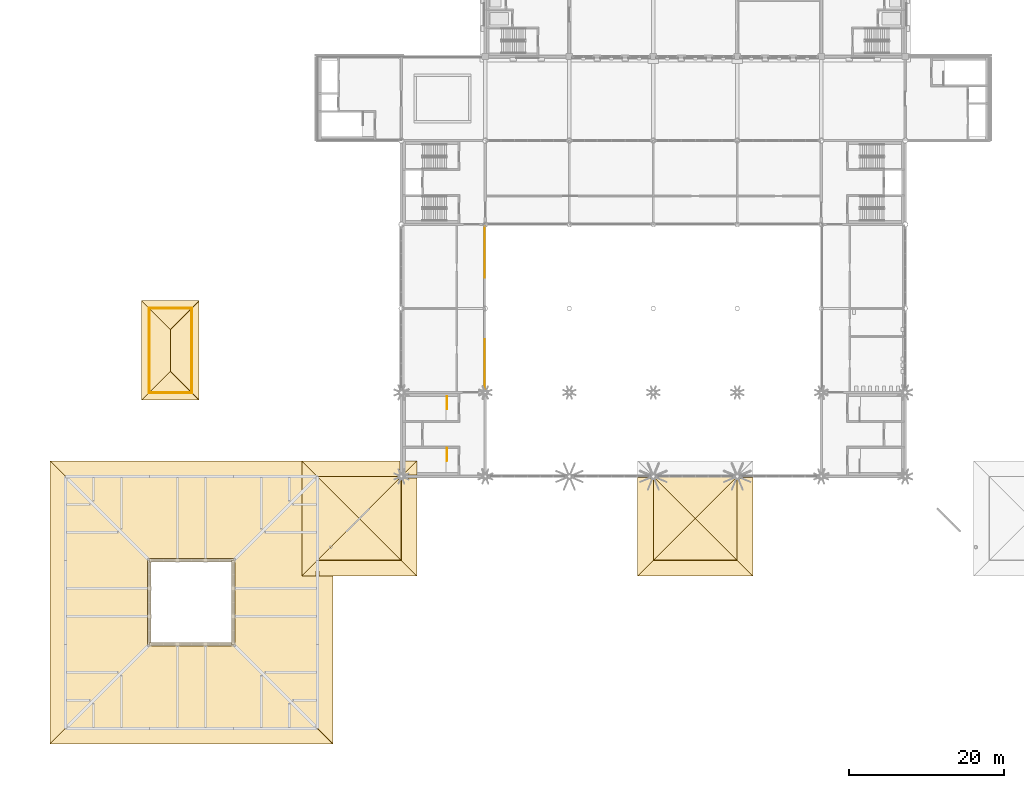
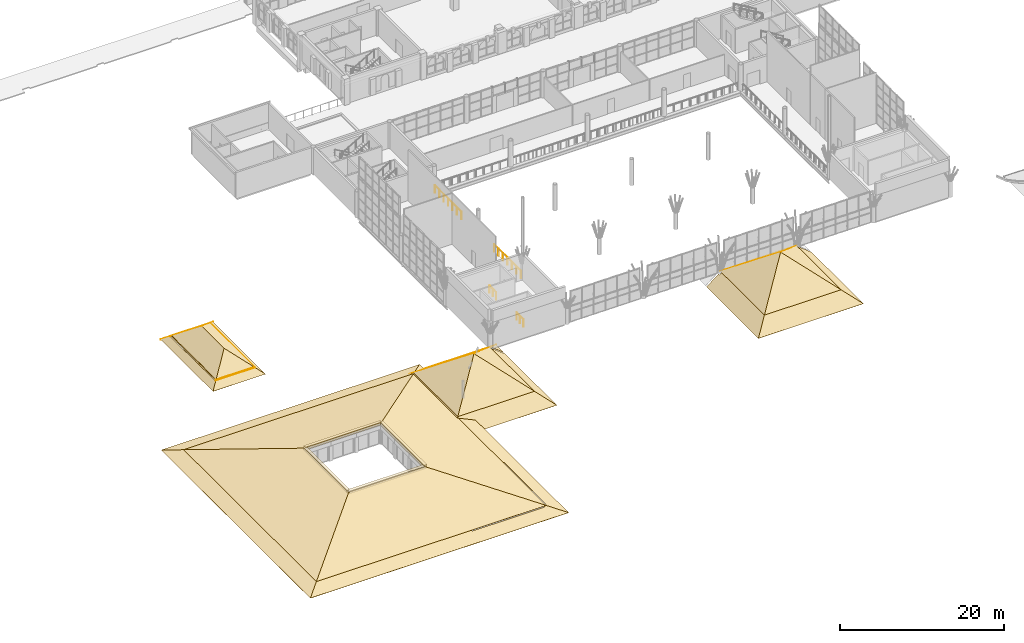
# One storey, part 85 of 95: 41 coverings, 4 railings.
"""IFC4 building model written with IfcOpenShell, lengths in metres."""

from ifc_helpers import new_model, si_unit, direction, frame, origin, origin_2d, place, context, subcontext, project, spatial, polyline, rectangle, circle, outline, extrude, material, layer, layer_set, type_object, element, save


model = new_model("IFC4")

# Units and contexts
model_context = context("Model", 3, precision=1e-05, world=origin(), true_north=direction((0.0, 1.0)))
body_context = subcontext(model_context, "Body", "Model", "MODEL_VIEW")
ifc_project = project(units=[si_unit("LENGTHUNIT", "METRE"), si_unit("AREAUNIT", "SQUARE_METRE"), si_unit("VOLUMEUNIT", "CUBIC_METRE"), si_unit("PLANEANGLEUNIT", "RADIAN"), si_unit("MASSUNIT", "GRAM", prefix="KILO")], contexts=[model_context])

# Site, building, storey
site_placement = place(None, origin())
site = spatial("IfcSite", under=ifc_project, at=site_placement, CompositionType="ELEMENT")
building_placement = place(site_placement, origin())
building = spatial("IfcBuilding", under=site, at=building_placement, Name="Magnolia Steps Interchange", CompositionType="ELEMENT")
storey_placement = place(building_placement, frame((0.0, 0.0, 4.800048828125)))
storey = spatial("IfcBuildingStorey", under=building, at=storey_placement, Name="L01", CompositionType="ELEMENT", Elevation=4.800048828125)

# Coverings
ifc_material_1 = material(Name="Clay pantile")
ifc_layer_1 = layer(ifc_material_1, 0.0400390625)
ifc_layer_set_1 = layer_set([ifc_layer_1], Name="Clay pantile roofing")
covering_type_1 = type_object("IfcCoveringType", Name="Clay pantile roofing", PredefinedType="ROOFING", material=ifc_layer_set_1)
for number, where, z_axis, x_axis, name in (
    (1, (26.199951171875, 53.199951171875, 0.128662109375), (0.615650955802, 0.0, 0.788018972247), (0.0, 1.0, 0.0), "Clay pantile roof BE-W 1"),
    (2, (20.800048828125, 64.0, 0.128662109375), (-0.615650955802, 0.0, 0.788018972247), (0.0, -1.0, 0.0), "Clay pantile roof BE-W 2"),
):
    element("IfcCovering", number, at=place(storey_placement, frame(where, z_axis=z_axis, x_axis=x_axis)), inside=storey, type_object=covering_type_1, Name=name, PredefinedType="ROOFING", context=body_context, shape_type="SweptSolid", body=[
        extrude(outline(polyline([(0.0, 0.0), (10.800048828, 0.0), (8.100097656, 3.426251482), (2.699951172, 3.426251482), (0.0, 0.0)])), origin(), (0.0, 0.0, -1.0), 0.0400390625),
    ])
for number, where, z_axis, x_axis, name in (
    (3, (20.800048828125, 53.199951171875, 0.128662109375), (0.0, -0.615650955802, 0.788018972247), (1.0, 0.0, 0.0), "Clay pantile roof BE-W 3"),
    (4, (26.199951171875, 64.0, 0.128662109375), (0.0, 0.615650955802, 0.788018972247), (-1.0, 0.0, 0.0), "Clay pantile roof BE-W 4"),
):
    element("IfcCovering", number, at=place(storey_placement, frame(where, z_axis=z_axis, x_axis=x_axis)), inside=storey, type_object=covering_type_1, Name=name, PredefinedType="ROOFING", context=body_context, shape_type="SweptSolid", body=[
        extrude(outline(polyline([(0.0, 0.0), (5.399902344, 0.0), (2.699951172, 3.426251482), (0.0, 0.0)])), origin(), (0.0, 0.0, -1.0), 0.0400390625),
    ])
covering_1_placement = place(storey_placement, frame((42.39990234375, 31.60009765625, 0.1689453125), z_axis=(0.0, -0.6156730791, 0.788001687607), x_axis=(1.0, 0.0, 0.0)))
element("IfcCovering", 5, at=covering_1_placement, inside=storey, type_object=covering_type_1, Name="Clay pantile roof BC1 1", PredefinedType="ROOFING", context=body_context, shape_type="SweptSolid", body=[
    extrude(outline(polyline([(0.0, 0.0), (10.800048828, 0.0), (5.400146484, 6.852653273), (0.0, 0.0)])), origin(), (0.0, 0.0, -1.0), 0.0400390625),
])
covering_2_placement = place(storey_placement, frame((53.199951171875, 42.39990234375, 0.1689453125), z_axis=(0.0, 0.6156730791, 0.788001687607), x_axis=(-1.0, 0.0, 0.0)))
element("IfcCovering", 6, at=covering_2_placement, inside=storey, type_object=covering_type_1, Name="Clay pantile roof BC1 2", PredefinedType="ROOFING", context=body_context, shape_type="SweptSolid", body=[
    extrude(outline(polyline([(0.0, 0.0), (10.800048828, 0.0), (5.399902344, 6.852653273), (0.0, 0.0)])), origin(), (0.0, 0.0, -1.0), 0.0400390625),
])
covering_3_placement = place(storey_placement, frame((42.39990234375, 42.39990234375, 0.1689453125), z_axis=(-0.615655794866, 0.0, 0.788015191635), x_axis=(0.0, -1.0, 0.0)))
element("IfcCovering", 7, at=covering_3_placement, inside=storey, type_object=covering_type_1, Name="Clay pantile roof BC1 3", PredefinedType="ROOFING", context=body_context, shape_type="SweptSolid", body=[
    extrude(outline(polyline([(0.0, 0.0), (10.799804688, 0.0), (5.399902344, 6.852845658), (0.0, 0.0)])), origin(), (0.0, 0.0, -1.0), 0.0400390625),
])
for number, where, z_axis, x_axis, name in (
    (8, (53.199951171875, 31.60009765625, 0.1689453125), (0.6156730791, 0.0, 0.788001687607), (0.0, 1.0, 0.0), "Clay pantile roof BC1 4"),
    (9, (85.60009765625, 31.60009765625, 0.1689453125), (0.0, -0.6156730791, 0.788001687607), (1.0, 0.0, 0.0), "Clay pantile roof BC2 1"),
    (10, (96.39990234375, 42.39990234375, 0.1689453125), (0.0, 0.6156730791, 0.788001687607), (-1.0, 0.0, 0.0), "Clay pantile roof BC2 2"),
    (11, (85.60009765625, 42.39990234375, 0.1689453125), (-0.6156730791, 0.0, 0.788001687607), (0.0, -1.0, 0.0), "Clay pantile roof BC2 3"),
    (12, (96.39990234375, 31.60009765625, 0.1689453125), (0.6156730791, 0.0, 0.788001687607), (0.0, 1.0, 0.0), "Clay pantile roof BC2 4"),
):
    element("IfcCovering", number, at=place(storey_placement, frame(where, z_axis=z_axis, x_axis=x_axis)), inside=storey, type_object=covering_type_1, Name=name, PredefinedType="ROOFING", context=body_context, shape_type="SweptSolid", body=[
        extrude(outline(polyline([(0.0, 0.0), (10.799804688, 0.0), (5.399902344, 6.852653273), (0.0, 0.0)])), origin(), (0.0, 0.0, -1.0), 0.0400390625),
    ])
covering_4_placement = place(storey_placement, frame((10.0, 10.0, 0.04150390625), z_axis=(0.0, -0.26764274042, 0.963518221675), x_axis=(1.0, 0.0, 0.0)))
element("IfcCovering", 13, at=covering_4_placement, inside=storey, type_object=covering_type_1, Name="Clay pantile roof Cycle hub hip roof S", PredefinedType="ROOFING", context=body_context, shape_type="SweptSolid", body=[
    extrude(outline(polyline([(0.0, 0.0), (32.399902344, 0.0), (21.600097656, 11.208972062), (10.800048828, 11.208972062), (0.0, 0.0)])), origin(), (0.0, 0.0, -1.0), 0.0400390625),
])
covering_5_placement = place(storey_placement, frame((42.39990234375, 10.0, 0.04150390625), z_axis=(0.267648357342, 0.0, 0.963516661409), x_axis=(0.0, 1.0, 0.0)))
element("IfcCovering", 14, at=covering_5_placement, inside=storey, type_object=covering_type_1, Name="Clay pantile roof Cycle hub hip roof E", PredefinedType="ROOFING", context=body_context, shape_type="SweptSolid", body=[
    extrude(outline(polyline([(0.0, 0.0), (32.399902344, 0.0), (21.600097656, 11.208736828), (10.800048828, 11.208736828), (0.0, 0.0)])), origin(), (0.0, 0.0, -1.0), 0.0400390625),
])
covering_6_placement = place(storey_placement, frame((42.39990234375, 42.39990234375, 0.04150390625), z_axis=(0.0, 0.267648357342, 0.963516661409), x_axis=(-1.0, 0.0, 0.0)))
element("IfcCovering", 15, at=covering_6_placement, inside=storey, type_object=covering_type_1, Name="Clay pantile roof Cycle hub hip roof N", PredefinedType="ROOFING", context=body_context, shape_type="SweptSolid", body=[
    extrude(outline(polyline([(0.0, 0.0), (32.399902344, 0.0), (21.599853516, 11.208736828), (10.799804688, 11.208736828), (0.0, 0.0)])), origin(), (0.0, 0.0, -1.0), 0.0400390625),
])
covering_7_placement = place(storey_placement, frame((10.0, 42.39990234375, 0.04150390625), z_axis=(-0.26764274042, 0.0, 0.963518221675), x_axis=(0.0, -1.0, 0.0)))
element("IfcCovering", 16, at=covering_7_placement, inside=storey, type_object=covering_type_1, Name="Clay pantile roof Cycle hub hip roof W", PredefinedType="ROOFING", context=body_context, shape_type="SweptSolid", body=[
    extrude(outline(polyline([(0.0, 0.0), (32.399902344, 0.0), (21.599853516, 11.208972062), (10.799804688, 11.208972062), (0.0, 0.0)])), origin(), (0.0, 0.0, -1.0), 0.0400390625),
])
covering_8_placement = place(storey_placement, frame((53.199951171875, 31.60009765625, 0.1689453125), z_axis=(1.150659e-06, -0.615644000945, 0.788024405776), x_axis=(0.618942776731, -0.61894236345, -0.483549573322)))
element("IfcCovering", 17, at=covering_8_placement, inside=storey, type_object=covering_type_1, Name="Clay pantile eave Pavilion roof slab BC1 1 1", PredefinedType="ROOFING", context=body_context, shape_type="SweptSolid", body=[
    extrude(outline(polyline([(0.0, 0.0), (3.231316489, 0.0), (-4.570445123, -9.900406475), (-5.194620052, -9.408541418), (-5.226957394, -9.408547232), (-5.443496701, -9.683334807), (-5.443865029, -9.705424638), (-4.811766318, -10.206642174), (-5.929066829, -11.624492367), (-6.684612211, -8.482748039), (0.0, 0.0)])), origin(), (0.0, 0.0, -1.0), 0.0400390625),
])
covering_9_placement = place(storey_placement, frame((40.39990234375, 44.39990234375, -1.3935546875), z_axis=(-4.043556e-06, 0.61564416023, 0.788024281325), x_axis=(0.999999999992, 2.489392e-06, 3.186421e-06)))
element("IfcCovering", 18, at=covering_9_placement, inside=storey, type_object=covering_type_1, Name="Clay pantile eave Pavilion roof slab BC1 2 1", PredefinedType="ROOFING", context=body_context, shape_type="SweptSolid", body=[
    extrude(outline(polyline([(0.0, 0.0), (12.604980469, 0.0), (12.604980469, -2.125414861), (12.493164062, -2.125607249), (12.4765625, -2.141088533), (12.475097656, -2.537992563), (2.0, -2.537992563), (0.0, 0.0)])), origin(), (0.0, 0.0, -1.0), 0.0400390625),
])
covering_10_placement = place(storey_placement, frame((53.39501953125, 44.39990234375, -1.3935546875), z_axis=(0.000152438795, 0.615586602563, 0.788069230149), x_axis=(0.999999988381, -9.3839281e-05, -0.000120132325)))
element("IfcCovering", 19, at=covering_10_placement, inside=storey, type_object=covering_type_1, Name="Clay pantile eave Pavilion roof slab BC1 2 2", PredefinedType="ROOFING", context=body_context, shape_type="SweptSolid", body=[
    extrude(outline(polyline([(0.0, 0.0), (1.80493162, 0.0), (0.124023439, -2.132930054), (-4.2e-08, -2.125414846), (0.0, 0.0)])), origin(), (0.0, 0.0, -1.0), 0.0400390625),
])
covering_11_placement = place(storey_placement, frame((42.39990234375, 31.60009765625, 0.1689453125), z_axis=(-0.615644041972, 0.0, 0.788024373725), x_axis=(-0.618942776731, -0.618942776731, -0.483549044321)))
element("IfcCovering", 20, at=covering_11_placement, inside=storey, type_object=covering_type_1, Name="Clay pantile eave Pavilion roof slab BC1 3 1", PredefinedType="ROOFING", context=body_context, shape_type="SweptSolid", body=[
    extrude(outline(polyline([(0.0, 0.0), (3.231316489, 0.0), (-5.92891572, -11.62430061), (-6.684461101, -8.482556282), (0.0, 0.0)])), origin(), (0.0, 0.0, -1.0), 0.0400390625),
])
covering_12_placement = place(storey_placement, frame((55.199951171875, 42.594970703125, -1.3935546875), z_axis=(0.615583036962, 7.4509101e-05, 0.788072026564), x_axis=(-0.788072028751, -4.714e-09, 0.615583038671)))
element("IfcCovering", 21, at=covering_12_placement, inside=storey, type_object=covering_type_1, Name="Clay pantile eave Pavilion roof slab BC1 4 1", PredefinedType="ROOFING", context=body_context, shape_type="SweptSolid", body=[
    extrude(outline(polyline([(0.0, 0.0), (2.125607245, 0.0), (2.132930053, -0.124023448), (-9e-09, -1.804931636), (0.0, 0.0)])), origin(), (0.0, 0.0, -1.0), 0.0400390625),
])
covering_13_placement = place(storey_placement, frame((55.199951171875, 42.205078125, -1.3935546875), z_axis=(0.615643934803, 1.389755e-06, 0.788024457449), x_axis=(8.55594e-07, -0.999999999999, 1.095161e-06)))
element("IfcCovering", 22, at=covering_13_placement, inside=storey, type_object=covering_type_1, Name="Clay pantile eave Pavilion roof slab BC1 4 2", PredefinedType="ROOFING", context=body_context, shape_type="SweptSolid", body=[
    extrude(outline(polyline([(0.0, 0.0), (12.604980469, 0.0), (10.604980469, -2.537992563), (0.130126953, -2.537992563), (0.128662109, -2.141088533), (0.112060547, -2.125607249), (0.0, -2.125607249), (0.0, 0.0)])), origin(), (0.0, 0.0, -1.0), 0.0400390625),
])
covering_14_placement = place(storey_placement, frame((85.60009765625, 31.60009765625, 0.1689453125), z_axis=(0.0, -0.615644041972, 0.788024373725), x_axis=(1.0, 0.0, 0.0)))
element("IfcCovering", 23, at=covering_14_placement, inside=storey, type_object=covering_type_1, Name="Clay pantile eave Pavilion roof slab BC2 1 1", PredefinedType="ROOFING", context=body_context, shape_type="SweptSolid", body=[
    extrude(outline(polyline([(0.0, 0.0), (10.799804688, 0.0), (12.799804688, -2.537992563), (-2.0, -2.537992563), (0.0, 0.0)])), origin(), (0.0, 0.0, -1.0), 0.0400390625),
])
covering_15_placement = place(storey_placement, frame((85.27490234375, 42.094970703125, -0.0849609375), z_axis=(-0.615644657256, -4.117584e-06, 0.788023893023), x_axis=(0.595349510519, -0.655154795508, 0.465114130347)))
element("IfcCovering", 24, at=covering_15_placement, inside=storey, type_object=covering_type_1, Name="Clay pantile eave Pavilion roof slab BC2 3 2", PredefinedType="ROOFING", context=body_context, shape_type="SweptSolid", body=[
    extrude(outline(polyline([(0.0, 0.0), (0.030184304, 0.0), (0.324816147, 0.255177611), (7.18746666, -7.658518372), (6.580336401, -10.832285707), (-1.72698162, -1.252664958), (-0.121242025, 0.139810781), (0.0, 0.0)])), origin(), (0.0, 0.0, -1.0), 0.0400390625),
])
covering_16_placement = place(storey_placement, frame((96.705078125, 42.074951171875, -0.0693359375), z_axis=(0.615644285591, -5.065319e-06, 0.788024183381), x_axis=(0.640469541076, 0.582610703652, -0.500363402882)))
element("IfcCovering", 25, at=covering_16_placement, inside=storey, type_object=covering_type_1, Name="Clay pantile eave Pavilion roof slab BC2 4 1", PredefinedType="ROOFING", context=body_context, shape_type="SweptSolid", body=[
    extrude(outline(polyline([(0.0, 0.0), (0.031009395, 0.0), (0.140120789, 0.151881941), (1.8675546, -1.086407507), (-5.519909295, -11.392039152), (-6.417444787, -8.287874805), (-0.31468301, 0.225576602), (0.0, 0.0)])), origin(), (0.0, 0.0, -1.0), 0.0400390625),
])
covering_17_placement = place(storey_placement, frame((27.199951171875, 52.199951171875, -0.65283203125), z_axis=(0.6156874089, 0.0, 0.787990491391), x_axis=(-0.61892635887, 0.61892635887, 0.483591071664)))
element("IfcCovering", 26, at=covering_17_placement, inside=storey, type_object=covering_type_1, Name="Clay pantile eave Pavilion roof slab BE-W 1 1", PredefinedType="ROOFING", context=body_context, shape_type="SweptSolid", body=[
    extrude(outline(polyline([(0.0, 0.0), (1.390859884, 0.0), (8.247554558, -8.70149418), (7.922287615, -10.053785802), (0.0, 0.0)])), origin(), (0.0, 0.0, -1.0), 0.0400390625),
])
for number, where, z_axis, x_axis, name in (
    (27, (26.285888671875, 64.0859375, 0.061279296875), (0.617031367855, 0.0, 0.786938556104), (0.0, -1.0, 0.0), "Clay pantile eave Pavilion roof slab BE-W 1 2"),
    (28, (20.714111328125, 53.114013671875, 0.061279296875), (-0.617031367855, 0.0, 0.786938556104), (0.0, 1.0, 0.0), "Clay pantile eave Pavilion roof slab BE-W 2 1"),
):
    element("IfcCovering", number, at=place(storey_placement, frame(where, z_axis=z_axis, x_axis=x_axis)), inside=storey, type_object=covering_type_1, Name=name, PredefinedType="ROOFING", context=body_context, shape_type="SweptSolid", body=[
        extrude(outline(polyline([(0.0, 0.0), (10.971923828, 0.0), (10.885986328, -0.109204841), (0.0859375, -0.109204841), (0.0, 0.0)])), origin(), (0.0, 0.0, -1.0), 0.0400390625),
    ])
covering_18_placement = place(storey_placement, frame((20.660888671875, 64.13916015625, 0.019775390625), z_axis=(-0.6156874089, 0.0, 0.787990491391), x_axis=(0.0, -1.0, 0.0)))
element("IfcCovering", 29, at=covering_18_placement, inside=storey, type_object=covering_type_1, Name="Clay pantile eave Pavilion roof slab BE-W 2 2", PredefinedType="ROOFING", context=body_context, shape_type="SweptSolid", body=[
    extrude(outline(polyline([(0.0, 0.0), (11.078369141, 0.0), (11.939208984, -1.092449532), (-0.860839844, -1.092449532), (0.0, 0.0)])), origin(), (0.0, 0.0, -1.0), 0.0400390625),
])
covering_19_placement = place(storey_placement, frame((26.199951171875, 53.199951171875, 0.128662109375), z_axis=(0.0, -0.617031367855, 0.786938556104), x_axis=(0.61841623438, -0.61841623438, -0.484894547412)))
element("IfcCovering", 30, at=covering_19_placement, inside=storey, type_object=covering_type_1, Name="Clay pantile eave Pavilion roof slab BE-W 3 1", PredefinedType="ROOFING", context=body_context, shape_type="SweptSolid", body=[
    extrude(outline(polyline([(0.0, 0.0), (0.138963849, 0.0), (-3.306713715, -4.378585262), (-3.339387273, -4.243517169), (0.0, 0.0)])), origin(), (0.0, 0.0, -1.0), 0.0400390625),
])
covering_20_placement = place(storey_placement, frame((27.199951171875, 52.199951171875, -0.65283203125), z_axis=(0.0, -0.6156874089, 0.787990491391), x_axis=(-1.0, 0.0, 0.0)))
element("IfcCovering", 31, at=covering_20_placement, inside=storey, type_object=covering_type_1, Name="Clay pantile eave Pavilion roof slab BE-W 3 2", PredefinedType="ROOFING", context=body_context, shape_type="SweptSolid", body=[
    extrude(outline(polyline([(0.0, 0.0), (7.399902344, 0.0), (6.5390625, -1.092449532), (0.860839844, -1.092449532), (0.0, 0.0)])), origin(), (0.0, 0.0, -1.0), 0.0400390625),
])
covering_21_placement = place(storey_placement, frame((20.800048828125, 64.0, 0.128662109375), z_axis=(0.0, 0.617031367855, 0.786938556104), x_axis=(-0.61841623438, 0.61841623438, -0.484894547412)))
element("IfcCovering", 32, at=covering_21_placement, inside=storey, type_object=covering_type_1, Name="Clay pantile eave Pavilion roof slab BE-W 4 1", PredefinedType="ROOFING", context=body_context, shape_type="SweptSolid", body=[
    extrude(outline(polyline([(0.0, 0.0), (0.138963849, 0.0), (-3.306713715, -4.378585262), (-3.339387273, -4.243517169), (0.0, 0.0)])), origin(), (0.0, 0.0, -1.0), 0.0400390625),
])
covering_22_placement = place(storey_placement, frame((19.800048828125, 65.0, -0.65283203125), z_axis=(0.0, 0.6156874089, 0.787990491391), x_axis=(1.0, 0.0, 0.0)))
element("IfcCovering", 33, at=covering_22_placement, inside=storey, type_object=covering_type_1, Name="Clay pantile eave Pavilion roof slab BE-W 4 2", PredefinedType="ROOFING", context=body_context, shape_type="SweptSolid", body=[
    extrude(outline(polyline([(0.0, 0.0), (7.399902344, 0.0), (6.5390625, -1.092449532), (0.860839844, -1.092449532), (0.0, 0.0)])), origin(), (0.0, 0.0, -1.0), 0.0400390625),
])
covering_23_placement = place(storey_placement, frame((31.891357421875, 10.0, 0.04150390625), z_axis=(0.0, -0.267693446193, 0.963504135365), x_axis=(-0.084903117581, -0.960025125632, -0.266726861753)))
element("IfcCovering", 34, at=covering_23_placement, inside=storey, type_object=covering_type_1, Name="Clay pantile eave Cycle hub hip roof S 1", PredefinedType="ROOFING", context=body_context, shape_type="SweptSolid", body=[
    extrude(outline(polyline([(0.0, 0.0), (0.132273927, 0.0), (0.149241516, 0.021292876), (-0.716786866, 10.18465744), (-0.73711244, 10.202772535), (-0.867479363, 10.1803927), (-0.892208225, 10.470600788), (1.006246323, 12.639617358), (4.096711511, -23.628852634), (1.858644493, -21.812312358), (0.0, 0.0)])), origin(), (0.0, 0.0, -1.0), 0.0400390625),
])
covering_24_placement = place(storey_placement, frame((42.40380859375, 10.285888671875, 0.040283203125), z_axis=(0.267694644947, 2.884477e-06, 0.963503802306), x_axis=(0.962494994819, -0.045749496846, -0.267414226411)))
element("IfcCovering", 35, at=covering_24_placement, inside=storey, type_object=covering_type_1, Name="Clay pantile eave Cycle hub hip roof E 1", PredefinedType="ROOFING", context=body_context, shape_type="SweptSolid", body=[
    extrude(outline(polyline([(0.0, 0.0), (0.128075184, 0.0), (0.145618875, 0.020843971), (-0.321023759, 10.210115219), (-0.340399217, 10.229268387), (-0.471778729, 10.2120093), (-0.992525504, 21.582659469), (-0.860118416, 21.577481136), (-0.842563555, 21.598081222), (-1.309217358, 31.787596354), (-1.328581648, 31.806505638), (-1.459961159, 31.789246551), (-1.473286147, 32.080201351), (0.508797325, 34.173072027), (0.593661748, 32.320033827), (-1.168862465, 32.239314713), (-1.188651587, 32.218367908), (-1.176889875, 31.966689353), (-1.159636556, 31.949882962), (0.606930889, 32.030298452), (1.087747378, 21.531537144), (-0.674776835, 21.45081803), (-0.694565957, 21.429871225), (-0.682793075, 21.177948785), (-0.665539756, 21.161142394), (1.101016519, 21.241801769), (2.174074542, -2.188717567), (0.008993083, -0.285776467), (0.0, 0.0)])), origin(), (0.0, 0.0, -1.0), 0.0400390625),
])
for number, where, z_axis, x_axis, name in (
    (36, (42.39990234375, 42.39990234375, 0.04150390625), (0.0, 0.26769239239, 0.963504428146), (-1.0, 0.0, 0.0), "Clay pantile eave Cycle hub hip roof N 1"),
    (37, (10.0, 42.39990234375, 0.04150390625), (-0.26769239239, 0.0, 0.963504428146), (0.0, -1.0, 0.0), "Clay pantile eave Cycle hub hip roof W 1"),
):
    element("IfcCovering", number, at=place(storey_placement, frame(where, z_axis=z_axis, x_axis=x_axis)), inside=storey, type_object=covering_type_1, Name=name, PredefinedType="ROOFING", context=body_context, shape_type="SweptSolid", body=[
        extrude(outline(polyline([(0.0, 0.0), (32.399902344, 0.0), (34.399902344, -2.075755899), (-2.0, -2.075755899), (0.0, 0.0)])), origin(), (0.0, 0.0, -1.0), 0.0400390625),
    ])
ifc_material_2 = material(Name="Lime render")
ifc_layer_2 = layer(ifc_material_2, 0.1201171875)
ifc_layer_set_2 = layer_set([ifc_layer_2], Name="Lime render band")
covering_type_2 = type_object("IfcCoveringType", Name="Lime render band", PredefinedType="CLADDING", material=ifc_layer_set_2)
for number, where, z_axis, x_axis, name in (
    (38, (20.800048828125, 26.199951171875, 2.89990234375), (0.0, 0.0, 1.0), (0.0, 1.0, 0.0), "Cycle hub ridge ring 1"),
    (39, (26.199951171875, 20.800048828125, 2.89990234375), (0.0, 0.0, 1.0), (1.0, 0.0, 0.0), "Cycle hub ridge ring 2"),
    (40, (26.199951171875, 31.60009765625, 2.89990234375), (0.0, 0.0, 1.0), (1.0, 0.0, 0.0), "Cycle hub ridge ring 3"),
    (41, (31.60009765625, 26.199951171875, 2.89990234375), (0.0, 0.0, 1.0), (0.0, 1.0, 0.0), "Cycle hub ridge ring 4"),
):
    element("IfcCovering", number, at=place(storey_placement, frame(where, z_axis=z_axis, x_axis=x_axis)), inside=storey, type_object=covering_type_2, Name=name, PredefinedType="CLADDING", context=body_context, shape_type="SweptSolid", body=[
        extrude(rectangle(XDim=10.800048828125, YDim=0.449951171875, at=origin_2d()), origin(), (0.0, 0.0, 1.0), 0.39990234375),
    ])

# Railings
ifc_material_3 = material(Name="Stainless steel grade 304", Category="steel")
railing_type_1 = type_object("IfcRailingType", Name="Stair guard 1100", PredefinedType="GUARDRAIL", material=ifc_material_3)
railing_1_placement = place(storey_placement, frame((59.050048828125, 46.050048828125, 0.0)))
element("IfcRailing", 42, at=railing_1_placement, inside=storey, type_object=railing_type_1, Name="L01 ST5 top well guard 1", PredefinedType="GUARDRAIL", context=body_context, shape_type="SweptSolid", body=[
    extrude(circle(Radius=0.02392578125, at=origin_2d()), frame((0.0, 0.0, 1.076171875), z_axis=(0.0, -1.0, 0.0), x_axis=(1.0, 0.0, 0.0)), (0.0, 0.0, 1.0), 1.650146484375),
    extrude(circle(Radius=0.02099609375, at=origin_2d()), origin(), (0.0, 0.0, 1.0), 1.052001953125),
    extrude(circle(Radius=0.02099609375, at=origin_2d()), frame((0.0, -0.8251953125, 0.0)), (0.0, 0.0, 1.0), 1.052001953125),
    extrude(circle(Radius=0.02099609375, at=origin_2d()), frame((0.0, -1.650146484375, 0.0)), (0.0, 0.0, 1.0), 1.052001953125),
])
railing_2_placement = place(storey_placement, frame((59.050048828125, 52.699951171875, 0.0)))
element("IfcRailing", 43, at=railing_2_placement, inside=storey, type_object=railing_type_1, Name="L01 ST6 top well guard 1", PredefinedType="GUARDRAIL", context=body_context, shape_type="SweptSolid", body=[
    extrude(circle(Radius=0.02392578125, at=origin_2d()), frame((0.0, 0.0, 1.076171875), z_axis=(0.0, -1.0, 0.0), x_axis=(1.0, 0.0, 0.0)), (0.0, 0.0, 1.0), 1.64990234375),
    extrude(circle(Radius=0.02099609375, at=origin_2d()), origin(), (0.0, 0.0, 1.0), 1.052001953125),
    extrude(circle(Radius=0.02099609375, at=origin_2d()), frame((0.0, -0.824951171875, 0.0)), (0.0, 0.0, 1.0), 1.052001953125),
    extrude(circle(Radius=0.02099609375, at=origin_2d()), frame((0.0, -1.64990234375, 0.0)), (0.0, 0.0, 1.0), 1.052001953125),
])
ifc_material_4 = material(Name="Stainless steel grade 304", Category="steel")
railing_type_2 = type_object("IfcRailingType", Name="Void edge guard 1100", PredefinedType="GUARDRAIL", material=ifc_material_4)
railing_3_placement = place(storey_placement, frame((63.929931640625, 53.490966796875, 0.0)))
element("IfcRailing", 44, at=railing_3_placement, inside=storey, type_object=railing_type_2, Name="L01 void edge guard HV 1", PredefinedType="GUARDRAIL", context=body_context, shape_type="SweptSolid", body=[
    extrude(circle(Radius=0.02392578125, at=origin_2d()), frame((0.0, 0.0, 1.076171875), z_axis=(0.0, 1.0, 0.0), x_axis=(-1.0, 0.0, 0.0)), (0.0, 0.0, 1.0), 6.513916015625),
    extrude(circle(Radius=0.02099609375, at=origin_2d()), origin(), (0.0, 0.0, 1.0), 1.052001953125),
    extrude(circle(Radius=0.02099609375, at=origin_2d()), frame((0.0, 1.085693359375, 0.0)), (0.0, 0.0, 1.0), 1.052001953125),
    extrude(circle(Radius=0.02099609375, at=origin_2d()), frame((0.0, 2.17138671875, 0.0)), (0.0, 0.0, 1.0), 1.052001953125),
    extrude(circle(Radius=0.02099609375, at=origin_2d()), frame((0.0, 3.2568359375, 0.0)), (0.0, 0.0, 1.0), 1.052001953125),
    extrude(circle(Radius=0.02099609375, at=origin_2d()), frame((0.0, 4.342529296875, 0.0)), (0.0, 0.0, 1.0), 1.052001953125),
    extrude(circle(Radius=0.02099609375, at=origin_2d()), frame((0.0, 5.42822265625, 0.0)), (0.0, 0.0, 1.0), 1.052001953125),
    extrude(circle(Radius=0.02099609375, at=origin_2d()), frame((0.0, 6.513916015625, 0.0)), (0.0, 0.0, 1.0), 1.052001953125),
])
railing_4_placement = place(storey_placement, frame((63.929931640625, 67.9951171875, 0.0)))
element("IfcRailing", 45, at=railing_4_placement, inside=storey, type_object=railing_type_2, Name="L01 void edge guard HV 2", PredefinedType="GUARDRAIL", context=body_context, shape_type="SweptSolid", body=[
    extrude(circle(Radius=0.02392578125, at=origin_2d()), frame((0.0, 0.0, 1.076171875), z_axis=(0.0, 1.0, 0.0), x_axis=(-1.0, 0.0, 0.0)), (0.0, 0.0, 1.0), 6.48779296875),
    extrude(circle(Radius=0.02099609375, at=origin_2d()), origin(), (0.0, 0.0, 1.0), 1.052001953125),
    extrude(circle(Radius=0.02099609375, at=origin_2d()), frame((0.0, 1.081298828125, 0.0)), (0.0, 0.0, 1.0), 1.052001953125),
    extrude(circle(Radius=0.02099609375, at=origin_2d()), frame((0.0, 2.16259765625, 0.0)), (0.0, 0.0, 1.0), 1.052001953125),
    extrude(circle(Radius=0.02099609375, at=origin_2d()), frame((0.0, 3.243896484375, 0.0)), (0.0, 0.0, 1.0), 1.052001953125),
    extrude(circle(Radius=0.02099609375, at=origin_2d()), frame((0.0, 4.3251953125, 0.0)), (0.0, 0.0, 1.0), 1.052001953125),
    extrude(circle(Radius=0.02099609375, at=origin_2d()), frame((0.0, 5.406494140625, 0.0)), (0.0, 0.0, 1.0), 1.052001953125),
    extrude(circle(Radius=0.02099609375, at=origin_2d()), frame((0.0, 6.48779296875, 0.0)), (0.0, 0.0, 1.0), 1.052001953125),
])

save(model, "model.ifc")
